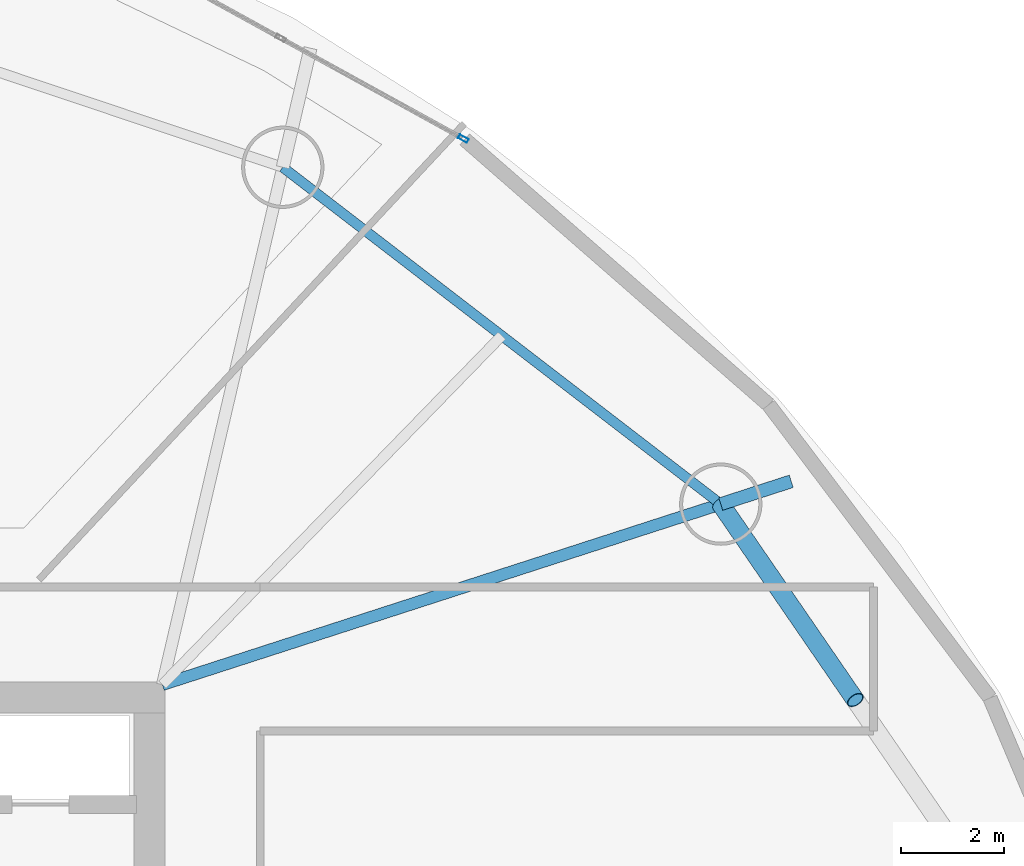
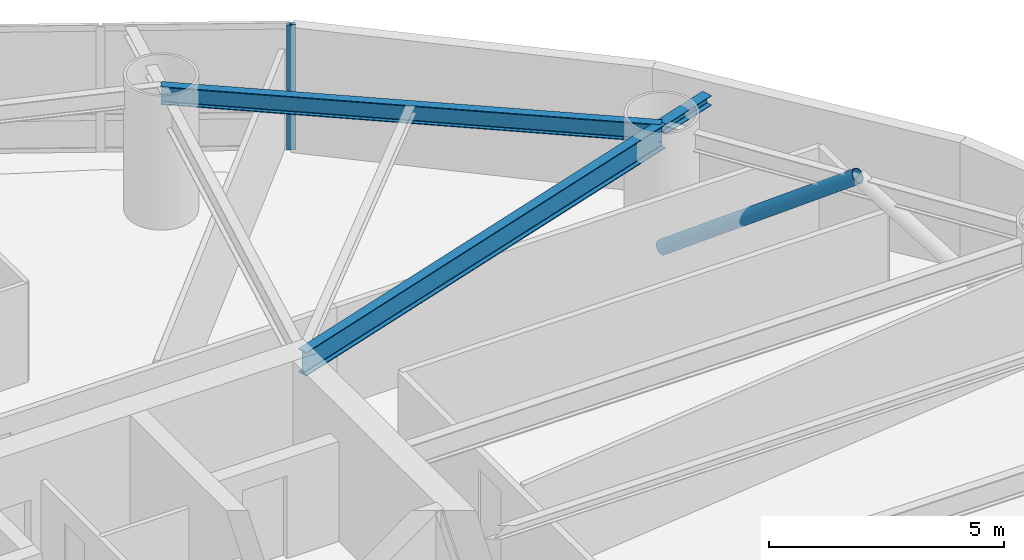
# One storey, part 14 of 23: 3 beams, 2 members, 1 element without a shape of its own.
"""IFC4 building model written with IfcOpenShell, lengths in metres."""

from ifc_helpers import new_model, si_unit, direction, frame, origin, origin_2d, place, context, subcontext, project, spatial, hollow_rectangle, hollow_circle, i_section, extrude, material, layer, layer_set, material_profile, profile_set, type_object, element, aggregate, save


model = new_model("IFC4")

# Units and contexts
model_context = context("Model", 3, precision=1e-05, world=origin(), true_north=direction((0.0, 1.0)))
body_context = subcontext(model_context, "Body", "Model", "MODEL_VIEW")
ifc_project = project(units=[si_unit("LENGTHUNIT", "METRE"), si_unit("AREAUNIT", "SQUARE_METRE"), si_unit("VOLUMEUNIT", "CUBIC_METRE"), si_unit("PLANEANGLEUNIT", "RADIAN"), si_unit("MASSUNIT", "GRAM", prefix="KILO")], contexts=[model_context])

# Site, building, storey
site_placement = place(None, origin())
site = spatial("IfcSite", under=ifc_project, at=site_placement, CompositionType="ELEMENT")
building_placement = place(site_placement, origin())
building = spatial("IfcBuilding", under=site, at=building_placement, Name="Bramvorn Convention Spire", CompositionType="ELEMENT")
storey_placement = place(building_placement, frame((0.0, 0.0, 65.89990234375)))
storey = spatial("IfcBuildingStorey", under=building, at=storey_placement, Name="L14", CompositionType="ELEMENT", Elevation=65.89990234375)

# Beams
ifc_material_1 = material(Name="Steel CSA G40.21 Grade 350 (350W)", Category="steel")
ifc_material_profile_1 = material_profile(ifc_material_1, i_section(OverallWidth=0.25390625, OverallDepth=0.2529296875, WebThickness=0.008544921875, FlangeThickness=0.01416015625, FilletRadius=0.011962890625, at=origin_2d()))
ifc_profile_set_1 = profile_set([ifc_material_profile_1], Name="Steel CSA G40.21 Grade 350 (350W) - W250X73")
beam_type_1 = type_object("IfcBeamType", Name="BM-W250X73", PredefinedType="BEAM", material=ifc_profile_set_1)
beam_1_placement = place(storey_placement, frame((60.105224609375, 36.960205078125, 3.12353515625), z_axis=(0.951508736254, 0.307621723602, 0.0), x_axis=(-0.307621723602, 0.951508736254, 0.0)))
element("IfcBeam", 1, at=beam_1_placement, inside=storey, type_object=beam_type_1, Name="L14 slab-edge cantilever tip beam MC03", PredefinedType="BEAM", context=body_context, shape_type="SweptSolid", body=[
    extrude(i_section(OverallWidth=0.25390625, OverallDepth=0.2529296875, WebThickness=0.008544921875, FlangeThickness=0.01416015625, FilletRadius=0.011962890625, at=origin_2d()), origin(), (0.0, 0.0, 1.0), 1.4404296875),
])
ifc_material_profile_2 = material_profile(ifc_material_1, i_section(OverallWidth=0.194091796875, OverallDepth=0.468994140625, WebThickness=0.0126953125, FlangeThickness=0.0205078125, FilletRadius=0.01806640625, at=origin_2d()))
ifc_profile_set_2 = profile_set([ifc_material_profile_2], Name="Steel CSA G40.21 Grade 350 (350W) - W460X106")
beam_type_2 = type_object("IfcBeamType", Name="BM-W460X106", PredefinedType="SPANDREL", material=ifc_profile_set_2)
beam_2_placement = place(storey_placement, frame((60.105224609375, 36.960205078125, 3.015625), z_axis=(-0.792672990445, 0.609647053809, 0.0), x_axis=(-0.609647053809, -0.792672990445, 0.0)))
element("IfcBeam", 2, at=beam_2_placement, inside=storey, type_object=beam_type_2, Name="L14 mega-column ring beam 03", PredefinedType="SPANDREL", context=body_context, shape_type="SweptSolid", body=[
    extrude(i_section(OverallWidth=0.194091796875, OverallDepth=0.468994140625, WebThickness=0.0126953125, FlangeThickness=0.0205078125, FilletRadius=0.01806640625, at=origin_2d()), origin(), (0.0, 0.0, 1.0), 10.741943359375),
])
ifc_material_profile_3 = material_profile(ifc_material_1, i_section(OverallWidth=0.22998046875, OverallDepth=0.616943359375, WebThickness=0.01318359375, FlangeThickness=0.022216796875, FilletRadius=0.02001953125, at=origin_2d()))
ifc_profile_set_3 = profile_set([ifc_material_profile_3], Name="Steel CSA G40.21 Grade 350 (350W) - W610X140")
beam_type_3 = type_object("IfcBeamType", Name="BM-W610X140", PredefinedType="BEAM", material=ifc_profile_set_3)
beam_3_placement = place(storey_placement, frame((49.25, 33.449951171875, 2.941650390625), z_axis=(0.951488933275, 0.307682969719, 0.0), x_axis=(-0.307682969719, 0.951488933275, 0.0)))
element("IfcBeam", 3, at=beam_3_placement, inside=storey, type_object=beam_type_3, Name="L14 radial floor girder MC03", PredefinedType="BEAM", context=body_context, shape_type="SweptSolid", body=[
    extrude(i_section(OverallWidth=0.22998046875, OverallDepth=0.616943359375, WebThickness=0.01318359375, FlangeThickness=0.022216796875, FilletRadius=0.02001953125, at=origin_2d()), origin(), (0.0, 0.0, 1.0), 11.40869140625),
])

# Curtain wall, member
ifc_material_2 = material(Name="Anodised Bronze Unitised Curtain Wall", Category="aluminium")
ifc_layer = layer(ifc_material_2, 0.179931640625)
ifc_layer_set = layer_set([ifc_layer], Name="Anodised Bronze Unitised Curtain Wall - CW-HTL-FRIT")
curtain_wall_type = type_object("IfcCurtainWallType", Name="CW-HTL-FRIT", PredefinedType="USERDEFINED", material=ifc_layer_set)
curtain_wall_placement = place(storey_placement, origin())
curtain_wall = element("IfcCurtainWall", 4, at=curtain_wall_placement, inside=storey, type_object=curtain_wall_type, Name="L14 fritted glass curtain wall 05", ObjectType="UNITISED CURTAIN WALL", PredefinedType="USERDEFINED")
ifc_material_3 = material(Name="Anodised Bronze Aluminium 6063-T6", Category="aluminium")
ifc_material_profile_4 = material_profile(ifc_material_3, hollow_rectangle(XDim=0.080078125, YDim=0.199951171875, WallThickness=0.00390625, InnerFilletRadius=0.0009765625, OuterFilletRadius=0.00390625, at=origin_2d()))
ifc_profile_set_4 = profile_set([ifc_material_profile_4], Name="Anodised Bronze Aluminium 6063-T6 - CWM80X200")
member_type_1 = type_object("IfcMemberType", Name="CW-MUL-180", PredefinedType="MULLION", material=ifc_profile_set_4)
member_1_placement = place(storey_placement, frame((55.101318359375, 44.064697265625, 0.0), z_axis=(0.0, 0.0, 1.0), x_axis=(0.482156929091, 0.876084867881, 0.0)))
member_1 = element("IfcMember", 5, at=member_1_placement, type_object=member_type_1, Name="CW2 mullion 3", PredefinedType="MULLION", context=body_context, shape_type="SweptSolid", body=[
    extrude(hollow_rectangle(XDim=0.080078125, YDim=0.199951171875, WallThickness=0.00390625, InnerFilletRadius=0.0009765625, OuterFilletRadius=0.00390625, at=origin_2d()), origin(), (0.0, 0.0, 1.0), 3.25),
])
aggregate(curtain_wall, [member_1])

# Member
ifc_material_profile_5 = material_profile(ifc_material_1, hollow_circle(Radius=0.177734375, WallThickness=0.015869140625, at=origin_2d()))
ifc_profile_set_5 = profile_set([ifc_material_profile_5], Name="Steel CSA G40.21 Grade 350 (350W) - CHS356X16")
member_type_2 = type_object("IfcMemberType", Name="MBR-CHS356X16", PredefinedType="BRACE", material=ifc_profile_set_5)
member_2_placement = place(storey_placement, frame((60.105224609375, 36.960205078125, 0.0), z_axis=(0.463106048325, -0.674307985647, 0.575188254833), x_axis=(0.824316157743, 0.566129730789, 0.0)))
element("IfcMember", 6, at=member_2_placement, inside=storey, type_object=member_type_2, Name="L14 perimeter Gothic lancet brace 2B", PredefinedType="BRACE", context=body_context, shape_type="SweptSolid", body=[
    extrude(hollow_circle(Radius=0.177734375, WallThickness=0.015869140625, at=origin_2d()), origin(), (0.0, 0.0, 1.0), 5.650390625),
])

save(model, "model.ifc")
